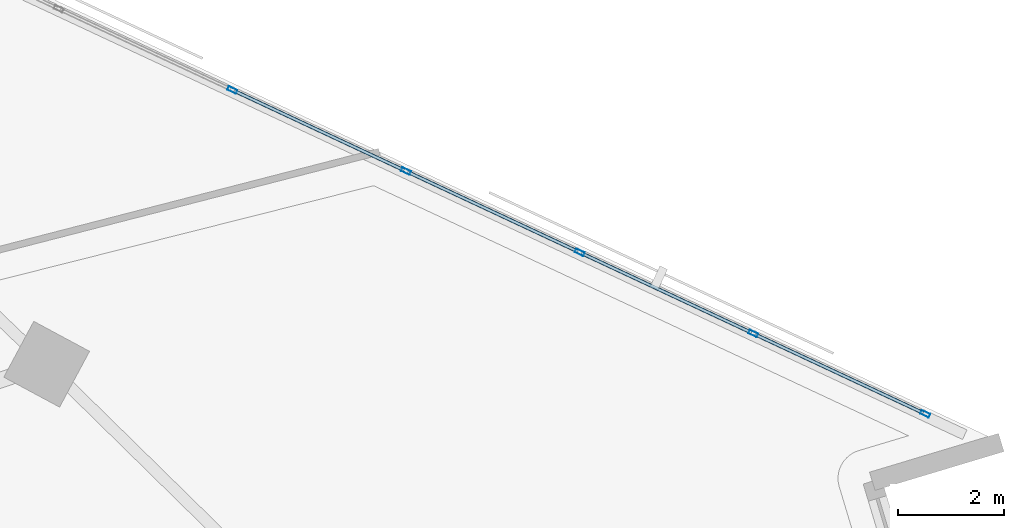
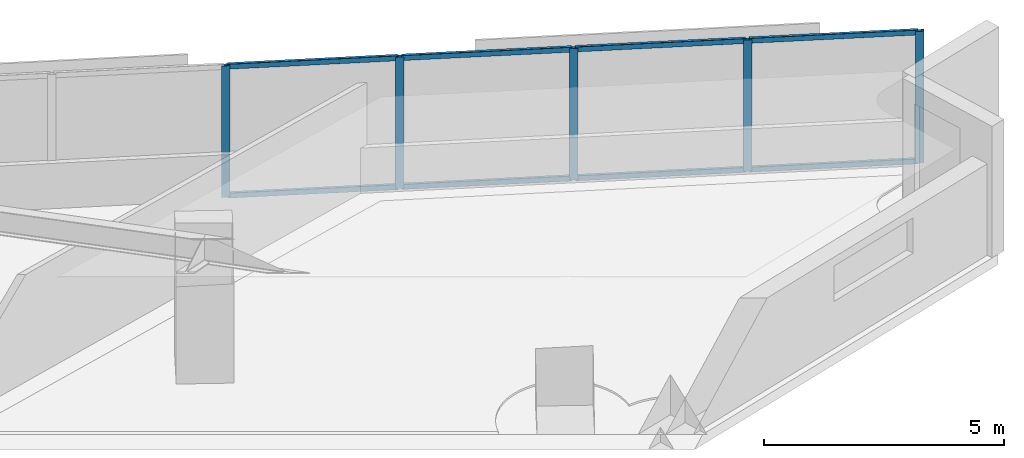
# One storey, part 5 of 16: 13 members, 1 element without a shape of its own.
"""IFC4 building model written with IfcOpenShell, lengths in metres."""

from ifc_helpers import new_model, si_unit, direction, frame, origin, origin_2d, place, context, subcontext, project, spatial, hollow_rectangle, extrude, material, material_profile, profile_set, type_object, element, aggregate, save


model = new_model("IFC4")

# Units and contexts
model_context = context("Model", 3, precision=1e-05, world=origin(), true_north=direction((0.0, 1.0)))
body_context = subcontext(model_context, "Body", "Model", "MODEL_VIEW")
ifc_project = project(units=[si_unit("LENGTHUNIT", "METRE"), si_unit("AREAUNIT", "SQUARE_METRE"), si_unit("VOLUMEUNIT", "CUBIC_METRE"), si_unit("PLANEANGLEUNIT", "RADIAN"), si_unit("MASSUNIT", "GRAM", prefix="KILO")], contexts=[model_context])

# Site, building, storey
site_placement = place(None, origin())
site = spatial("IfcSite", under=ifc_project, at=site_placement, CompositionType="ELEMENT")
building_placement = place(site_placement, origin())
building = spatial("IfcBuilding", under=site, at=building_placement, Name="Narakoshi Arena Tower", CompositionType="ELEMENT")
storey_placement = place(building_placement, frame((0.0, 0.0, 150.300048828125)))
storey = spatial("IfcBuildingStorey", under=building, at=storey_placement, Name="L40", CompositionType="ELEMENT", Elevation=150.300048828125)

# Curtain wall, members
ifc_material = material(Name="Anodised bronze aluminium 6063-T6", Category="aluminium")
curtain_wall_type = type_object("IfcCurtainWallType", Name="CW-HYP-MID", PredefinedType="NOTDEFINED", material=ifc_material)
curtain_wall_placement = place(storey_placement, origin())
curtain_wall = element("IfcCurtainWall", 1, at=curtain_wall_placement, inside=storey, type_object=curtain_wall_type, Name="L40 Folded Hypotenuse Curtain Wall 1-1", PredefinedType="NOTDEFINED")
ifc_material_profile_1 = material_profile(ifc_material, hollow_rectangle(XDim=0.074951171875, YDim=0.179931640625, WallThickness=0.00390625, OuterFilletRadius=0.0048828125, at=origin_2d()), Name="MUL180x75x4")
ifc_profile_set_1 = profile_set([ifc_material_profile_1], Name="Anodised bronze aluminium 6063-T6")
member_type_1 = type_object("IfcMemberType", Name="MEM-MUL-180", PredefinedType="MULLION", material=ifc_profile_set_1)
member_1_placement = place(storey_placement, frame((119.174072265625, 48.238525390625, 0.0), z_axis=(0.0, 0.0, 1.0), x_axis=(-0.423531721612, -0.905881273009, 0.0)))
member_1 = element("IfcMember", 2, at=member_1_placement, type_object=member_type_1, Name="CW-02 mullion 1", PredefinedType="MULLION", context=body_context, shape_type="SweptSolid", body=[
    extrude(hollow_rectangle(XDim=0.074951171875, YDim=0.179931640625, WallThickness=0.00390625, OuterFilletRadius=0.0048828125, at=origin_2d()), origin(), (0.0, 0.0, 1.0), 3.33984375),
])
member_2_placement = place(storey_placement, frame((115.91650390625, 49.761474609375, 0.0), z_axis=(0.0, 0.0, 1.0), x_axis=(-0.423531721612, -0.905881273009, 0.0)))
member_2 = element("IfcMember", 3, at=member_2_placement, type_object=member_type_1, Name="CW-02 mullion 2", PredefinedType="MULLION", context=body_context, shape_type="SweptSolid", body=[
    extrude(hollow_rectangle(XDim=0.074951171875, YDim=0.179931640625, WallThickness=0.00390625, OuterFilletRadius=0.0048828125, at=origin_2d()), origin(), (0.0, 0.0, 1.0), 3.33984375),
])
member_3_placement = place(storey_placement, frame((112.625, 51.300537109375, 0.0), z_axis=(0.0, 0.0, 1.0), x_axis=(-0.423531721612, -0.905881273009, 0.0)))
member_3 = element("IfcMember", 4, at=member_3_placement, type_object=member_type_1, Name="CW-02 mullion 3", PredefinedType="MULLION", context=body_context, shape_type="SweptSolid", body=[
    extrude(hollow_rectangle(XDim=0.074951171875, YDim=0.179931640625, WallThickness=0.00390625, OuterFilletRadius=0.0048828125, at=origin_2d()), origin(), (0.0, 0.0, 1.0), 3.33984375),
])
member_4_placement = place(storey_placement, frame((109.33349609375, 52.83935546875, 0.0), z_axis=(0.0, 0.0, 1.0), x_axis=(-0.423531721612, -0.905881273009, 0.0)))
member_4 = element("IfcMember", 5, at=member_4_placement, type_object=member_type_1, Name="CW-02 mullion 4", PredefinedType="MULLION", context=body_context, shape_type="SweptSolid", body=[
    extrude(hollow_rectangle(XDim=0.074951171875, YDim=0.179931640625, WallThickness=0.00390625, OuterFilletRadius=0.0048828125, at=origin_2d()), origin(), (0.0, 0.0, 1.0), 3.33984375),
])
member_5_placement = place(storey_placement, frame((106.0419921875, 54.378173828125, 0.0), z_axis=(0.0, 0.0, 1.0), x_axis=(-0.423531721612, -0.905881273009, 0.0)))
member_5 = element("IfcMember", 6, at=member_5_placement, type_object=member_type_1, Name="CW-02 mullion 5", PredefinedType="MULLION", context=body_context, shape_type="SweptSolid", body=[
    extrude(hollow_rectangle(XDim=0.074951171875, YDim=0.179931640625, WallThickness=0.00390625, OuterFilletRadius=0.0048828125, at=origin_2d()), origin(), (0.0, 0.0, 1.0), 3.33984375),
])
ifc_material_profile_2 = material_profile(ifc_material, hollow_rectangle(XDim=0.06494140625, YDim=0.1298828125, WallThickness=0.00390625, OuterFilletRadius=0.0048828125, at=origin_2d()), Name="TRN130x65x4")
ifc_profile_set_2 = profile_set([ifc_material_profile_2], Name="Anodised bronze aluminium 6063-T6")
member_type_2 = type_object("IfcMemberType", Name="MEM-TRN-130", PredefinedType="USERDEFINED", material=ifc_profile_set_2)
member_6_placement = place(storey_placement, frame((119.14013671875, 48.25439453125, 0.032470703125), z_axis=(-0.905890644442, 0.423511676713, 0.0), x_axis=(-0.423511676713, -0.905890644442, 0.0)))
member_6 = element("IfcMember", 7, at=member_6_placement, type_object=member_type_2, Name="CW-02 transom 1.1", ObjectType="TRANSOM", PredefinedType="USERDEFINED", context=body_context, shape_type="SweptSolid", body=[
    extrude(hollow_rectangle(XDim=0.06494140625, YDim=0.1298828125, WallThickness=0.00390625, OuterFilletRadius=0.0048828125, at=origin_2d()), origin(), (0.0, 0.0, 1.0), 3.52099609375),
])
member_7_placement = place(storey_placement, frame((119.14013671875, 48.25439453125, 3.307373046875), z_axis=(-0.905890644442, 0.423511676713, 0.0), x_axis=(-0.423511676713, -0.905890644442, 0.0)))
member_7 = element("IfcMember", 8, at=member_7_placement, type_object=member_type_2, Name="CW-02 transom 1.2", ObjectType="TRANSOM", PredefinedType="USERDEFINED", context=body_context, shape_type="SweptSolid", body=[
    extrude(hollow_rectangle(XDim=0.06494140625, YDim=0.1298828125, WallThickness=0.00390625, OuterFilletRadius=0.0048828125, at=origin_2d()), origin(), (0.0, 0.0, 1.0), 3.52099609375),
])
member_8_placement = place(storey_placement, frame((115.882568359375, 49.777587890625, 0.032470703125), z_axis=(-0.905890215319, 0.423512594605, 0.0), x_axis=(-0.423512594605, -0.905890215319, 0.0)))
member_8 = element("IfcMember", 9, at=member_8_placement, type_object=member_type_2, Name="CW-02 transom 2.1", ObjectType="TRANSOM", PredefinedType="USERDEFINED", context=body_context, shape_type="SweptSolid", body=[
    extrude(hollow_rectangle(XDim=0.06494140625, YDim=0.1298828125, WallThickness=0.00390625, OuterFilletRadius=0.0048828125, at=origin_2d()), origin(), (0.0, 0.0, 1.0), 3.55859375),
])
member_9_placement = place(storey_placement, frame((115.882568359375, 49.777587890625, 3.307373046875), z_axis=(-0.905890215319, 0.423512594605, 0.0), x_axis=(-0.423512594605, -0.905890215319, 0.0)))
member_9 = element("IfcMember", 10, at=member_9_placement, type_object=member_type_2, Name="CW-02 transom 2.2", ObjectType="TRANSOM", PredefinedType="USERDEFINED", context=body_context, shape_type="SweptSolid", body=[
    extrude(hollow_rectangle(XDim=0.06494140625, YDim=0.1298828125, WallThickness=0.00390625, OuterFilletRadius=0.0048828125, at=origin_2d()), origin(), (0.0, 0.0, 1.0), 3.55859375),
])
member_10_placement = place(storey_placement, frame((112.591064453125, 51.31640625, 0.032470703125), z_axis=(-0.905890215319, 0.423512594605, 0.0), x_axis=(-0.423512594605, -0.905890215319, 0.0)))
member_10 = element("IfcMember", 11, at=member_10_placement, type_object=member_type_2, Name="CW-02 transom 3.1", ObjectType="TRANSOM", PredefinedType="USERDEFINED", context=body_context, shape_type="SweptSolid", body=[
    extrude(hollow_rectangle(XDim=0.06494140625, YDim=0.1298828125, WallThickness=0.00390625, OuterFilletRadius=0.0048828125, at=origin_2d()), origin(), (0.0, 0.0, 1.0), 3.55859375),
])
member_11_placement = place(storey_placement, frame((112.591064453125, 51.31640625, 3.307373046875), z_axis=(-0.905890215319, 0.423512594605, 0.0), x_axis=(-0.423512594605, -0.905890215319, 0.0)))
member_11 = element("IfcMember", 12, at=member_11_placement, type_object=member_type_2, Name="CW-02 transom 3.2", ObjectType="TRANSOM", PredefinedType="USERDEFINED", context=body_context, shape_type="SweptSolid", body=[
    extrude(hollow_rectangle(XDim=0.06494140625, YDim=0.1298828125, WallThickness=0.00390625, OuterFilletRadius=0.0048828125, at=origin_2d()), origin(), (0.0, 0.0, 1.0), 3.55859375),
])
member_12_placement = place(storey_placement, frame((109.299560546875, 52.855224609375, 0.032470703125), z_axis=(-0.905890215319, 0.423512594605, 0.0), x_axis=(-0.423512594605, -0.905890215319, 0.0)))
member_12 = element("IfcMember", 13, at=member_12_placement, type_object=member_type_2, Name="CW-02 transom 4.1", ObjectType="TRANSOM", PredefinedType="USERDEFINED", context=body_context, shape_type="SweptSolid", body=[
    extrude(hollow_rectangle(XDim=0.06494140625, YDim=0.1298828125, WallThickness=0.00390625, OuterFilletRadius=0.0048828125, at=origin_2d()), origin(), (0.0, 0.0, 1.0), 3.55859375),
])
member_13_placement = place(storey_placement, frame((109.299560546875, 52.855224609375, 3.307373046875), z_axis=(-0.905890215319, 0.423512594605, 0.0), x_axis=(-0.423512594605, -0.905890215319, 0.0)))
member_13 = element("IfcMember", 14, at=member_13_placement, type_object=member_type_2, Name="CW-02 transom 4.2", ObjectType="TRANSOM", PredefinedType="USERDEFINED", context=body_context, shape_type="SweptSolid", body=[
    extrude(hollow_rectangle(XDim=0.06494140625, YDim=0.1298828125, WallThickness=0.00390625, OuterFilletRadius=0.0048828125, at=origin_2d()), origin(), (0.0, 0.0, 1.0), 3.55859375),
])
aggregate(curtain_wall, [member_1, member_2, member_3, member_4, member_5, member_6, member_7, member_8, member_9, member_10, member_11, member_12, member_13])

save(model, "model.ifc")
